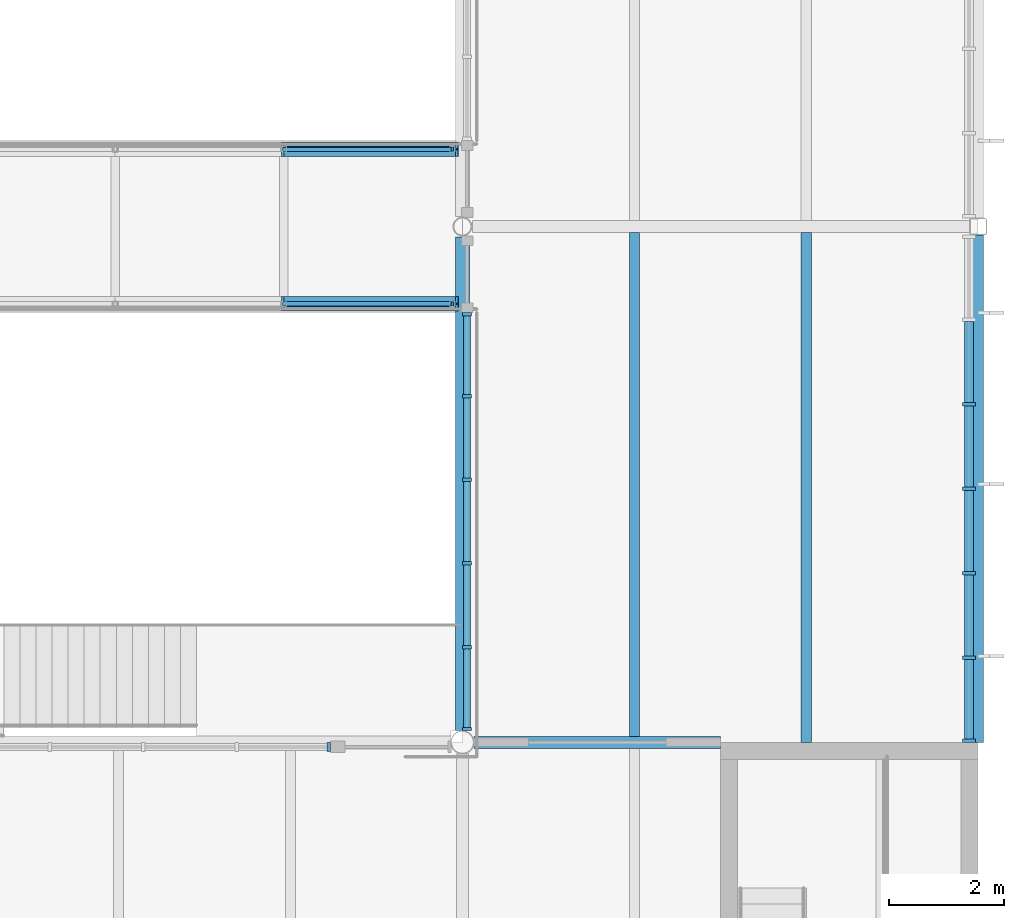
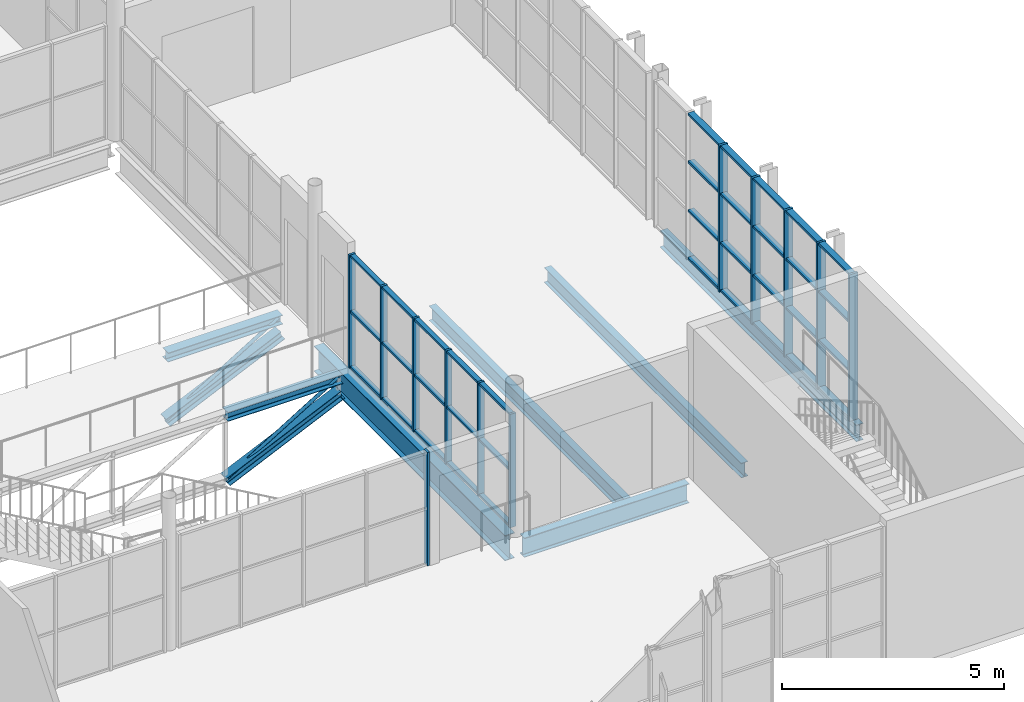
# One storey, part 25 of 61: 53 members, 5 beams, 3 elements without a shape of their own.
"""IFC4 building model written with IfcOpenShell, lengths in metres."""

from ifc_helpers import new_model, si_unit, direction, frame, origin, origin_2d, place, context, subcontext, project, spatial, rectangle, hollow_circle, i_section, extrude, material, layer, layer_set, material_profile, profile_set, type_object, element, aggregate, save


model = new_model("IFC4")

# Units and contexts
model_context = context("Model", 3, precision=1e-05, world=origin(), true_north=direction((0.0, 1.0)))
body_context = subcontext(model_context, "Body", "Model", "MODEL_VIEW")
ifc_project = project(units=[si_unit("LENGTHUNIT", "METRE"), si_unit("AREAUNIT", "SQUARE_METRE"), si_unit("VOLUMEUNIT", "CUBIC_METRE"), si_unit("PLANEANGLEUNIT", "RADIAN"), si_unit("MASSUNIT", "GRAM", prefix="KILO")], contexts=[model_context])

# Site, building, storey
site_placement = place(None, origin())
site = spatial("IfcSite", under=ifc_project, at=site_placement, CompositionType="ELEMENT")
building_placement = place(site_placement, origin())
building = spatial("IfcBuilding", under=site, at=building_placement, Name="Halyard Row Museum", CompositionType="ELEMENT")
storey_placement = place(building_placement, frame((0.0, 0.0, 9.199951171875)))
storey = spatial("IfcBuildingStorey", under=building, at=storey_placement, Name="L02", CompositionType="ELEMENT", Elevation=9.199951171875)

# Beam
ifc_material_1 = material(Name="Steel Grade 300", Category="steel")
ifc_material_profile_1 = material_profile(ifc_material_1, i_section(OverallWidth=0.25, OverallDepth=0.699951171875, WebThickness=0.010009765625, FlangeThickness=0.02001953125, at=origin_2d()), Name="700WB130")
ifc_profile_set_1 = profile_set([ifc_material_profile_1], Name="Steel Grade 300")
beam_type_1 = type_object("IfcBeamType", Name="Bearing beam 700WB130", PredefinedType="BEAM", material=ifc_profile_set_1)
beam_1_placement = place(storey_placement, frame((99.0, 9.203125, -0.514892578125), z_axis=(0.0, 1.0, 0.0), x_axis=(-1.0, 0.0, 0.0)))
element("IfcBeam", 1, at=beam_1_placement, inside=storey, type_object=beam_type_1, Name="Beam L02-078", PredefinedType="BEAM", context=body_context, shape_type="SweptSolid", body=[
    extrude(i_section(OverallWidth=0.25, OverallDepth=0.699951171875, WebThickness=0.010009765625, FlangeThickness=0.02001953125, at=origin_2d()), origin(), (0.0, 0.0, 1.0), 8.619140625),
])

# Curtain wall, members
ifc_material_2 = material(Name="Double glazed unit, low-emissivity", Category="glass")
ifc_layer_1 = layer(ifc_material_2, 0.219970703125)
ifc_layer_set_1 = layer_set([ifc_layer_1], Name="Double glazed unit, low-emissivity")
curtain_wall_type_1 = type_object("IfcCurtainWallType", Name="Curtain wall unitised 220 deep", PredefinedType="NOTDEFINED", material=ifc_layer_set_1)
curtain_wall_1_placement = place(storey_placement, origin())
curtain_wall_1 = element("IfcCurtainWall", 2, at=curtain_wall_1_placement, inside=storey, type_object=curtain_wall_type_1, Name="Curtain wall CW031", PredefinedType="NOTDEFINED")
ifc_material_3 = material(Name="Powder-coated aluminium section", Category="aluminium")
ifc_material_profile_2 = material_profile(ifc_material_3, rectangle(XDim=0.219970703125, YDim=0.06005859375, at=origin_2d()), Name="220x60 mullion")
ifc_profile_set_2 = profile_set([ifc_material_profile_2], Name="Powder-coated aluminium section")
member_type_1 = type_object("IfcMemberType", Name="Curtain wall mullion CM3 60 x 220", PredefinedType="MULLION", material=ifc_profile_set_2)
member_1_placement = place(storey_placement, frame((107.840087890625, 9.030029296875, 0.0), z_axis=(0.0, 0.0, 1.0), x_axis=(-1.0, 0.0, 0.0)))
member_1 = element("IfcMember", 3, at=member_1_placement, type_object=member_type_1, Name="CW031 mullion 1", PredefinedType="MULLION", context=body_context, shape_type="SweptSolid", body=[
    extrude(rectangle(XDim=0.219970703125, YDim=0.06005859375, at=origin_2d()), origin(), (0.0, 0.0, 1.0), 4.03515625),
])
member_2_placement = place(storey_placement, frame((107.840087890625, 10.47509765625, 0.0), z_axis=(0.0, 0.0, 1.0), x_axis=(-1.0, 0.0, 0.0)))
member_2 = element("IfcMember", 4, at=member_2_placement, type_object=member_type_1, Name="CW031 mullion 2", PredefinedType="MULLION", context=body_context, shape_type="SweptSolid", body=[
    extrude(rectangle(XDim=0.219970703125, YDim=0.06005859375, at=origin_2d()), origin(), (0.0, 0.0, 1.0), 4.03515625),
])
member_3_placement = place(storey_placement, frame((107.840087890625, 11.949951171875, 0.0), z_axis=(0.0, 0.0, 1.0), x_axis=(-1.0, 0.0, 0.0)))
member_3 = element("IfcMember", 5, at=member_3_placement, type_object=member_type_1, Name="CW031 mullion 3", PredefinedType="MULLION", context=body_context, shape_type="SweptSolid", body=[
    extrude(rectangle(XDim=0.219970703125, YDim=0.06005859375, at=origin_2d()), origin(), (0.0, 0.0, 1.0), 4.03515625),
])
member_4_placement = place(storey_placement, frame((107.840087890625, 13.425048828125, 0.0), z_axis=(0.0, 0.0, 1.0), x_axis=(-1.0, 0.0, 0.0)))
member_4 = element("IfcMember", 6, at=member_4_placement, type_object=member_type_1, Name="CW031 mullion 4", PredefinedType="MULLION", context=body_context, shape_type="SweptSolid", body=[
    extrude(rectangle(XDim=0.219970703125, YDim=0.06005859375, at=origin_2d()), origin(), (0.0, 0.0, 1.0), 4.03515625),
])
member_5_placement = place(storey_placement, frame((107.840087890625, 14.89990234375, 0.0), z_axis=(0.0, 0.0, 1.0), x_axis=(-1.0, 0.0, 0.0)))
member_5 = element("IfcMember", 7, at=member_5_placement, type_object=member_type_1, Name="CW031 mullion 5", PredefinedType="MULLION", context=body_context, shape_type="SweptSolid", body=[
    extrude(rectangle(XDim=0.219970703125, YDim=0.06005859375, at=origin_2d()), origin(), (0.0, 0.0, 1.0), 4.03515625),
])

# Curtain wall, member
ifc_material_4 = material(Name="Fire-resisting laminated glazing", Category="glass")
ifc_layer_2 = layer(ifc_material_4, 0.159912109375)
ifc_layer_set_2 = layer_set([ifc_layer_2], Name="Fire-resisting laminated glazing")
curtain_wall_type_2 = type_object("IfcCurtainWallType", Name="Curtain wall atrium screen 160 deep", PredefinedType="NOTDEFINED", material=ifc_layer_set_2)
curtain_wall_2_placement = place(storey_placement, origin())
curtain_wall_2 = element("IfcCurtainWall", 8, at=curtain_wall_2_placement, inside=storey, type_object=curtain_wall_type_2, Name="Curtain wall CW086", PredefinedType="NOTDEFINED")
ifc_material_5 = material(Name="Powder-coated aluminium section", Category="aluminium")
ifc_material_profile_3 = material_profile(ifc_material_5, rectangle(XDim=0.159912109375, YDim=0.06005859375, at=origin_2d()), Name="160x60 mullion")
ifc_profile_set_3 = profile_set([ifc_material_profile_3], Name="Powder-coated aluminium section")
member_type_2 = type_object("IfcMemberType", Name="Curtain wall mullion CM5 60 x 160", PredefinedType="MULLION", material=ifc_profile_set_3)
member_6_placement = place(storey_placement, frame((96.669921875, 8.919921875, 0.0), z_axis=(0.0, 0.0, 1.0), x_axis=(0.0, 1.0, 0.0)))
member_6 = element("IfcMember", 9, at=member_6_placement, type_object=member_type_2, Name="CW086 mullion 5", PredefinedType="MULLION", context=body_context, shape_type="SweptSolid", body=[
    extrude(rectangle(XDim=0.159912109375, YDim=0.06005859375, at=origin_2d()), origin(), (0.0, 0.0, 1.0), 3.12451171875),
])
aggregate(curtain_wall_2, [member_6])

# Curtain wall, members
curtain_wall_3_placement = place(storey_placement, origin())
curtain_wall_3 = element("IfcCurtainWall", 10, at=curtain_wall_3_placement, inside=storey, type_object=curtain_wall_type_2, Name="Curtain wall CW087", PredefinedType="NOTDEFINED")
member_7_placement = place(storey_placement, frame((99.080078125, 9.233154296875, 0.0), z_axis=(0.0, 0.0, 1.0), x_axis=(-1.0, 0.0, 0.0)))
member_7 = element("IfcMember", 11, at=member_7_placement, type_object=member_type_2, Name="CW087 mullion 1", PredefinedType="MULLION", context=body_context, shape_type="SweptSolid", body=[
    extrude(rectangle(XDim=0.159912109375, YDim=0.06005859375, at=origin_2d()), origin(), (0.0, 0.0, 1.0), 3.12451171875),
])
member_8_placement = place(storey_placement, frame((99.080078125, 10.66259765625, 0.0), z_axis=(0.0, 0.0, 1.0), x_axis=(-1.0, 0.0, 0.0)))
member_8 = element("IfcMember", 12, at=member_8_placement, type_object=member_type_2, Name="CW087 mullion 2", PredefinedType="MULLION", context=body_context, shape_type="SweptSolid", body=[
    extrude(rectangle(XDim=0.159912109375, YDim=0.06005859375, at=origin_2d()), origin(), (0.0, 0.0, 1.0), 3.12451171875),
])
member_9_placement = place(storey_placement, frame((99.080078125, 12.121826171875, 0.0), z_axis=(0.0, 0.0, 1.0), x_axis=(-1.0, 0.0, 0.0)))
member_9 = element("IfcMember", 13, at=member_9_placement, type_object=member_type_2, Name="CW087 mullion 3", PredefinedType="MULLION", context=body_context, shape_type="SweptSolid", body=[
    extrude(rectangle(XDim=0.159912109375, YDim=0.06005859375, at=origin_2d()), origin(), (0.0, 0.0, 1.0), 3.12451171875),
])
member_10_placement = place(storey_placement, frame((99.080078125, 13.581298828125, 0.0), z_axis=(0.0, 0.0, 1.0), x_axis=(-1.0, 0.0, 0.0)))
member_10 = element("IfcMember", 14, at=member_10_placement, type_object=member_type_2, Name="CW087 mullion 4", PredefinedType="MULLION", context=body_context, shape_type="SweptSolid", body=[
    extrude(rectangle(XDim=0.159912109375, YDim=0.06005859375, at=origin_2d()), origin(), (0.0, 0.0, 1.0), 3.12451171875),
])
member_11_placement = place(storey_placement, frame((99.080078125, 15.04052734375, 0.0), z_axis=(0.0, 0.0, 1.0), x_axis=(-1.0, 0.0, 0.0)))
member_11 = element("IfcMember", 15, at=member_11_placement, type_object=member_type_2, Name="CW087 mullion 5", PredefinedType="MULLION", context=body_context, shape_type="SweptSolid", body=[
    extrude(rectangle(XDim=0.159912109375, YDim=0.06005859375, at=origin_2d()), origin(), (0.0, 0.0, 1.0), 3.12451171875),
])
member_12_placement = place(storey_placement, frame((99.080078125, 16.469970703125, 0.0), z_axis=(0.0, 0.0, 1.0), x_axis=(-1.0, 0.0, 0.0)))
member_12 = element("IfcMember", 16, at=member_12_placement, type_object=member_type_2, Name="CW087 mullion 6", PredefinedType="MULLION", context=body_context, shape_type="SweptSolid", body=[
    extrude(rectangle(XDim=0.159912109375, YDim=0.06005859375, at=origin_2d()), origin(), (0.0, 0.0, 1.0), 3.12451171875),
])

# Member
ifc_material_6 = material(Name="Powder-coated aluminium section", Category="aluminium")
ifc_material_profile_4 = material_profile(ifc_material_6, rectangle(XDim=0.159912109375, YDim=0.06005859375, at=origin_2d()), Name="160x60 transom")
ifc_profile_set_4 = profile_set([ifc_material_profile_4], Name="Powder-coated aluminium section")
member_type_3 = type_object("IfcMemberType", Name="Curtain wall transom CT3 60 x 160", PredefinedType="USERDEFINED", material=ifc_profile_set_4)
member_13_placement = place(storey_placement, frame((107.840087890625, 9.06005859375, 0.030029296875), z_axis=(0.0, 1.0, 0.0), x_axis=(-1.0, 0.0, 0.0)))
member_13 = element("IfcMember", 17, at=member_13_placement, type_object=member_type_3, Name="CW031 transom 1.1", ObjectType="TRANSOM", PredefinedType="USERDEFINED", context=body_context, shape_type="SweptSolid", body=[
    extrude(rectangle(XDim=0.159912109375, YDim=0.06005859375, at=origin_2d()), origin(), (0.0, 0.0, 1.0), 1.385009765625),
])

member_14_placement = place(storey_placement, frame((107.840087890625, 9.06005859375, 1.344970703125), z_axis=(0.0, 1.0, 0.0), x_axis=(-1.0, 0.0, 0.0)))
member_14 = element("IfcMember", 18, at=member_14_placement, type_object=member_type_3, Name="CW031 transom 1.2", ObjectType="TRANSOM", PredefinedType="USERDEFINED", context=body_context, shape_type="SweptSolid", body=[
    extrude(rectangle(XDim=0.159912109375, YDim=0.06005859375, at=origin_2d()), origin(), (0.0, 0.0, 1.0), 1.385009765625),
])

member_15_placement = place(storey_placement, frame((107.840087890625, 9.06005859375, 2.68994140625), z_axis=(0.0, 1.0, 0.0), x_axis=(-1.0, 0.0, 0.0)))
member_15 = element("IfcMember", 19, at=member_15_placement, type_object=member_type_3, Name="CW031 transom 1.3", ObjectType="TRANSOM", PredefinedType="USERDEFINED", context=body_context, shape_type="SweptSolid", body=[
    extrude(rectangle(XDim=0.159912109375, YDim=0.06005859375, at=origin_2d()), origin(), (0.0, 0.0, 1.0), 1.385009765625),
])

member_16_placement = place(storey_placement, frame((107.840087890625, 9.06005859375, 4.005126953125), z_axis=(0.0, 1.0, 0.0), x_axis=(-1.0, 0.0, 0.0)))
member_16 = element("IfcMember", 20, at=member_16_placement, type_object=member_type_3, Name="CW031 transom 1.4", ObjectType="TRANSOM", PredefinedType="USERDEFINED", context=body_context, shape_type="SweptSolid", body=[
    extrude(rectangle(XDim=0.159912109375, YDim=0.06005859375, at=origin_2d()), origin(), (0.0, 0.0, 1.0), 1.385009765625),
])

member_17_placement = place(storey_placement, frame((107.840087890625, 10.5048828125, 0.030029296875), z_axis=(0.0, 1.0, 0.0), x_axis=(-1.0, 0.0, 0.0)))
member_17 = element("IfcMember", 21, at=member_17_placement, type_object=member_type_3, Name="CW031 transom 2.1", ObjectType="TRANSOM", PredefinedType="USERDEFINED", context=body_context, shape_type="SweptSolid", body=[
    extrude(rectangle(XDim=0.159912109375, YDim=0.06005859375, at=origin_2d()), origin(), (0.0, 0.0, 1.0), 1.4150390625),
])

member_18_placement = place(storey_placement, frame((107.840087890625, 10.5048828125, 1.344970703125), z_axis=(0.0, 1.0, 0.0), x_axis=(-1.0, 0.0, 0.0)))
member_18 = element("IfcMember", 22, at=member_18_placement, type_object=member_type_3, Name="CW031 transom 2.2", ObjectType="TRANSOM", PredefinedType="USERDEFINED", context=body_context, shape_type="SweptSolid", body=[
    extrude(rectangle(XDim=0.159912109375, YDim=0.06005859375, at=origin_2d()), origin(), (0.0, 0.0, 1.0), 1.4150390625),
])

member_19_placement = place(storey_placement, frame((107.840087890625, 10.5048828125, 2.68994140625), z_axis=(0.0, 1.0, 0.0), x_axis=(-1.0, 0.0, 0.0)))
member_19 = element("IfcMember", 23, at=member_19_placement, type_object=member_type_3, Name="CW031 transom 2.3", ObjectType="TRANSOM", PredefinedType="USERDEFINED", context=body_context, shape_type="SweptSolid", body=[
    extrude(rectangle(XDim=0.159912109375, YDim=0.06005859375, at=origin_2d()), origin(), (0.0, 0.0, 1.0), 1.4150390625),
])

member_20_placement = place(storey_placement, frame((107.840087890625, 10.5048828125, 4.005126953125), z_axis=(0.0, 1.0, 0.0), x_axis=(-1.0, 0.0, 0.0)))
member_20 = element("IfcMember", 24, at=member_20_placement, type_object=member_type_3, Name="CW031 transom 2.4", ObjectType="TRANSOM", PredefinedType="USERDEFINED", context=body_context, shape_type="SweptSolid", body=[
    extrude(rectangle(XDim=0.159912109375, YDim=0.06005859375, at=origin_2d()), origin(), (0.0, 0.0, 1.0), 1.4150390625),
])

member_21_placement = place(storey_placement, frame((107.840087890625, 11.97998046875, 0.030029296875), z_axis=(0.0, 1.0, 0.0), x_axis=(-1.0, 0.0, 0.0)))
member_21 = element("IfcMember", 25, at=member_21_placement, type_object=member_type_3, Name="CW031 transom 3.1", ObjectType="TRANSOM", PredefinedType="USERDEFINED", context=body_context, shape_type="SweptSolid", body=[
    extrude(rectangle(XDim=0.159912109375, YDim=0.06005859375, at=origin_2d()), origin(), (0.0, 0.0, 1.0), 1.4150390625),
])

member_22_placement = place(storey_placement, frame((107.840087890625, 11.97998046875, 1.344970703125), z_axis=(0.0, 1.0, 0.0), x_axis=(-1.0, 0.0, 0.0)))
member_22 = element("IfcMember", 26, at=member_22_placement, type_object=member_type_3, Name="CW031 transom 3.2", ObjectType="TRANSOM", PredefinedType="USERDEFINED", context=body_context, shape_type="SweptSolid", body=[
    extrude(rectangle(XDim=0.159912109375, YDim=0.06005859375, at=origin_2d()), origin(), (0.0, 0.0, 1.0), 1.4150390625),
])

member_23_placement = place(storey_placement, frame((107.840087890625, 11.97998046875, 2.68994140625), z_axis=(0.0, 1.0, 0.0), x_axis=(-1.0, 0.0, 0.0)))
member_23 = element("IfcMember", 27, at=member_23_placement, type_object=member_type_3, Name="CW031 transom 3.3", ObjectType="TRANSOM", PredefinedType="USERDEFINED", context=body_context, shape_type="SweptSolid", body=[
    extrude(rectangle(XDim=0.159912109375, YDim=0.06005859375, at=origin_2d()), origin(), (0.0, 0.0, 1.0), 1.4150390625),
])

member_24_placement = place(storey_placement, frame((107.840087890625, 11.97998046875, 4.005126953125), z_axis=(0.0, 1.0, 0.0), x_axis=(-1.0, 0.0, 0.0)))
member_24 = element("IfcMember", 28, at=member_24_placement, type_object=member_type_3, Name="CW031 transom 3.4", ObjectType="TRANSOM", PredefinedType="USERDEFINED", context=body_context, shape_type="SweptSolid", body=[
    extrude(rectangle(XDim=0.159912109375, YDim=0.06005859375, at=origin_2d()), origin(), (0.0, 0.0, 1.0), 1.4150390625),
])

member_25_placement = place(storey_placement, frame((107.840087890625, 13.455078125, 0.030029296875), z_axis=(0.0, 1.0, 0.0), x_axis=(-1.0, 0.0, 0.0)))
member_25 = element("IfcMember", 29, at=member_25_placement, type_object=member_type_3, Name="CW031 transom 4.1", ObjectType="TRANSOM", PredefinedType="USERDEFINED", context=body_context, shape_type="SweptSolid", body=[
    extrude(rectangle(XDim=0.159912109375, YDim=0.06005859375, at=origin_2d()), origin(), (0.0, 0.0, 1.0), 1.4150390625),
])

member_26_placement = place(storey_placement, frame((107.840087890625, 13.455078125, 1.344970703125), z_axis=(0.0, 1.0, 0.0), x_axis=(-1.0, 0.0, 0.0)))
member_26 = element("IfcMember", 30, at=member_26_placement, type_object=member_type_3, Name="CW031 transom 4.2", ObjectType="TRANSOM", PredefinedType="USERDEFINED", context=body_context, shape_type="SweptSolid", body=[
    extrude(rectangle(XDim=0.159912109375, YDim=0.06005859375, at=origin_2d()), origin(), (0.0, 0.0, 1.0), 1.4150390625),
])

member_27_placement = place(storey_placement, frame((107.840087890625, 13.455078125, 2.68994140625), z_axis=(0.0, 1.0, 0.0), x_axis=(-1.0, 0.0, 0.0)))
member_27 = element("IfcMember", 31, at=member_27_placement, type_object=member_type_3, Name="CW031 transom 4.3", ObjectType="TRANSOM", PredefinedType="USERDEFINED", context=body_context, shape_type="SweptSolid", body=[
    extrude(rectangle(XDim=0.159912109375, YDim=0.06005859375, at=origin_2d()), origin(), (0.0, 0.0, 1.0), 1.4150390625),
])

member_28_placement = place(storey_placement, frame((107.840087890625, 13.455078125, 4.005126953125), z_axis=(0.0, 1.0, 0.0), x_axis=(-1.0, 0.0, 0.0)))
member_28 = element("IfcMember", 32, at=member_28_placement, type_object=member_type_3, Name="CW031 transom 4.4", ObjectType="TRANSOM", PredefinedType="USERDEFINED", context=body_context, shape_type="SweptSolid", body=[
    extrude(rectangle(XDim=0.159912109375, YDim=0.06005859375, at=origin_2d()), origin(), (0.0, 0.0, 1.0), 1.4150390625),
])

member_29_placement = place(storey_placement, frame((107.840087890625, 14.929931640625, 0.030029296875), z_axis=(0.0, 1.0, 0.0), x_axis=(-1.0, 0.0, 0.0)))
member_29 = element("IfcMember", 33, at=member_29_placement, type_object=member_type_3, Name="CW031 transom 5.1", ObjectType="TRANSOM", PredefinedType="USERDEFINED", context=body_context, shape_type="SweptSolid", body=[
    extrude(rectangle(XDim=0.159912109375, YDim=0.06005859375, at=origin_2d()), origin(), (0.0, 0.0, 1.0), 1.4150390625),
])

member_30_placement = place(storey_placement, frame((107.840087890625, 14.929931640625, 1.344970703125), z_axis=(0.0, 1.0, 0.0), x_axis=(-1.0, 0.0, 0.0)))
member_30 = element("IfcMember", 34, at=member_30_placement, type_object=member_type_3, Name="CW031 transom 5.2", ObjectType="TRANSOM", PredefinedType="USERDEFINED", context=body_context, shape_type="SweptSolid", body=[
    extrude(rectangle(XDim=0.159912109375, YDim=0.06005859375, at=origin_2d()), origin(), (0.0, 0.0, 1.0), 1.4150390625),
])

member_31_placement = place(storey_placement, frame((107.840087890625, 14.929931640625, 2.68994140625), z_axis=(0.0, 1.0, 0.0), x_axis=(-1.0, 0.0, 0.0)))
member_31 = element("IfcMember", 35, at=member_31_placement, type_object=member_type_3, Name="CW031 transom 5.3", ObjectType="TRANSOM", PredefinedType="USERDEFINED", context=body_context, shape_type="SweptSolid", body=[
    extrude(rectangle(XDim=0.159912109375, YDim=0.06005859375, at=origin_2d()), origin(), (0.0, 0.0, 1.0), 1.4150390625),
])

member_32_placement = place(storey_placement, frame((107.840087890625, 14.929931640625, 4.005126953125), z_axis=(0.0, 1.0, 0.0), x_axis=(-1.0, 0.0, 0.0)))
member_32 = element("IfcMember", 36, at=member_32_placement, type_object=member_type_3, Name="CW031 transom 5.4", ObjectType="TRANSOM", PredefinedType="USERDEFINED", context=body_context, shape_type="SweptSolid", body=[
    extrude(rectangle(XDim=0.159912109375, YDim=0.06005859375, at=origin_2d()), origin(), (0.0, 0.0, 1.0), 1.4150390625),
])

aggregate(curtain_wall_1, [member_1, member_2, member_3, member_4, member_5, member_13, member_14, member_15, member_16, member_17, member_18, member_19, member_20, member_21, member_22, member_23, member_24, member_25, member_26, member_27, member_28, member_29, member_30, member_31, member_32])

ifc_material_7 = material(Name="Powder-coated aluminium section", Category="aluminium")
ifc_material_profile_5 = material_profile(ifc_material_7, rectangle(XDim=0.1201171875, YDim=0.06005859375, at=origin_2d()), Name="120x60 transom")
ifc_profile_set_5 = profile_set([ifc_material_profile_5], Name="Powder-coated aluminium section")
member_type_4 = type_object("IfcMemberType", Name="Curtain wall transom CT5 60 x 120", PredefinedType="USERDEFINED", material=ifc_profile_set_5)
member_33_placement = place(storey_placement, frame((99.080078125, 9.26318359375, 0.030029296875), z_axis=(0.0, 1.0, 0.0), x_axis=(-1.0, 0.0, 0.0)))
member_33 = element("IfcMember", 37, at=member_33_placement, type_object=member_type_4, Name="CW087 transom 1.1", ObjectType="TRANSOM", PredefinedType="USERDEFINED", context=body_context, shape_type="SweptSolid", body=[
    extrude(rectangle(XDim=0.1201171875, YDim=0.06005859375, at=origin_2d()), origin(), (0.0, 0.0, 1.0), 1.369384765625),
])

member_34_placement = place(storey_placement, frame((99.080078125, 9.26318359375, 1.562255859375), z_axis=(0.0, 1.0, 0.0), x_axis=(-1.0, 0.0, 0.0)))
member_34 = element("IfcMember", 38, at=member_34_placement, type_object=member_type_4, Name="CW087 transom 1.2", ObjectType="TRANSOM", PredefinedType="USERDEFINED", context=body_context, shape_type="SweptSolid", body=[
    extrude(rectangle(XDim=0.1201171875, YDim=0.06005859375, at=origin_2d()), origin(), (0.0, 0.0, 1.0), 1.369384765625),
])

member_35_placement = place(storey_placement, frame((99.080078125, 9.26318359375, 3.094482421875), z_axis=(0.0, 1.0, 0.0), x_axis=(-1.0, 0.0, 0.0)))
member_35 = element("IfcMember", 39, at=member_35_placement, type_object=member_type_4, Name="CW087 transom 1.3", ObjectType="TRANSOM", PredefinedType="USERDEFINED", context=body_context, shape_type="SweptSolid", body=[
    extrude(rectangle(XDim=0.1201171875, YDim=0.06005859375, at=origin_2d()), origin(), (0.0, 0.0, 1.0), 1.369384765625),
])

member_36_placement = place(storey_placement, frame((99.080078125, 10.692626953125, 0.030029296875), z_axis=(0.0, 1.0, 0.0), x_axis=(-1.0, 0.0, 0.0)))
member_36 = element("IfcMember", 40, at=member_36_placement, type_object=member_type_4, Name="CW087 transom 2.1", ObjectType="TRANSOM", PredefinedType="USERDEFINED", context=body_context, shape_type="SweptSolid", body=[
    extrude(rectangle(XDim=0.1201171875, YDim=0.06005859375, at=origin_2d()), origin(), (0.0, 0.0, 1.0), 1.3994140625),
])

member_37_placement = place(storey_placement, frame((99.080078125, 10.692626953125, 1.562255859375), z_axis=(0.0, 1.0, 0.0), x_axis=(-1.0, 0.0, 0.0)))
member_37 = element("IfcMember", 41, at=member_37_placement, type_object=member_type_4, Name="CW087 transom 2.2", ObjectType="TRANSOM", PredefinedType="USERDEFINED", context=body_context, shape_type="SweptSolid", body=[
    extrude(rectangle(XDim=0.1201171875, YDim=0.06005859375, at=origin_2d()), origin(), (0.0, 0.0, 1.0), 1.3994140625),
])

member_38_placement = place(storey_placement, frame((99.080078125, 10.692626953125, 3.094482421875), z_axis=(0.0, 1.0, 0.0), x_axis=(-1.0, 0.0, 0.0)))
member_38 = element("IfcMember", 42, at=member_38_placement, type_object=member_type_4, Name="CW087 transom 2.3", ObjectType="TRANSOM", PredefinedType="USERDEFINED", context=body_context, shape_type="SweptSolid", body=[
    extrude(rectangle(XDim=0.1201171875, YDim=0.06005859375, at=origin_2d()), origin(), (0.0, 0.0, 1.0), 1.3994140625),
])

member_39_placement = place(storey_placement, frame((99.080078125, 12.15185546875, 0.030029296875), z_axis=(0.0, 1.0, 0.0), x_axis=(-1.0, 0.0, 0.0)))
member_39 = element("IfcMember", 43, at=member_39_placement, type_object=member_type_4, Name="CW087 transom 3.1", ObjectType="TRANSOM", PredefinedType="USERDEFINED", context=body_context, shape_type="SweptSolid", body=[
    extrude(rectangle(XDim=0.1201171875, YDim=0.06005859375, at=origin_2d()), origin(), (0.0, 0.0, 1.0), 1.3994140625),
])

member_40_placement = place(storey_placement, frame((99.080078125, 12.15185546875, 1.562255859375), z_axis=(0.0, 1.0, 0.0), x_axis=(-1.0, 0.0, 0.0)))
member_40 = element("IfcMember", 44, at=member_40_placement, type_object=member_type_4, Name="CW087 transom 3.2", ObjectType="TRANSOM", PredefinedType="USERDEFINED", context=body_context, shape_type="SweptSolid", body=[
    extrude(rectangle(XDim=0.1201171875, YDim=0.06005859375, at=origin_2d()), origin(), (0.0, 0.0, 1.0), 1.3994140625),
])

member_41_placement = place(storey_placement, frame((99.080078125, 12.15185546875, 3.094482421875), z_axis=(0.0, 1.0, 0.0), x_axis=(-1.0, 0.0, 0.0)))
member_41 = element("IfcMember", 45, at=member_41_placement, type_object=member_type_4, Name="CW087 transom 3.3", ObjectType="TRANSOM", PredefinedType="USERDEFINED", context=body_context, shape_type="SweptSolid", body=[
    extrude(rectangle(XDim=0.1201171875, YDim=0.06005859375, at=origin_2d()), origin(), (0.0, 0.0, 1.0), 1.3994140625),
])

member_42_placement = place(storey_placement, frame((99.080078125, 13.611328125, 0.030029296875), z_axis=(0.0, 1.0, 0.0), x_axis=(-1.0, 0.0, 0.0)))
member_42 = element("IfcMember", 46, at=member_42_placement, type_object=member_type_4, Name="CW087 transom 4.1", ObjectType="TRANSOM", PredefinedType="USERDEFINED", context=body_context, shape_type="SweptSolid", body=[
    extrude(rectangle(XDim=0.1201171875, YDim=0.06005859375, at=origin_2d()), origin(), (0.0, 0.0, 1.0), 1.3994140625),
])

member_43_placement = place(storey_placement, frame((99.080078125, 13.611328125, 1.562255859375), z_axis=(0.0, 1.0, 0.0), x_axis=(-1.0, 0.0, 0.0)))
member_43 = element("IfcMember", 47, at=member_43_placement, type_object=member_type_4, Name="CW087 transom 4.2", ObjectType="TRANSOM", PredefinedType="USERDEFINED", context=body_context, shape_type="SweptSolid", body=[
    extrude(rectangle(XDim=0.1201171875, YDim=0.06005859375, at=origin_2d()), origin(), (0.0, 0.0, 1.0), 1.3994140625),
])

member_44_placement = place(storey_placement, frame((99.080078125, 13.611328125, 3.094482421875), z_axis=(0.0, 1.0, 0.0), x_axis=(-1.0, 0.0, 0.0)))
member_44 = element("IfcMember", 48, at=member_44_placement, type_object=member_type_4, Name="CW087 transom 4.3", ObjectType="TRANSOM", PredefinedType="USERDEFINED", context=body_context, shape_type="SweptSolid", body=[
    extrude(rectangle(XDim=0.1201171875, YDim=0.06005859375, at=origin_2d()), origin(), (0.0, 0.0, 1.0), 1.3994140625),
])

member_45_placement = place(storey_placement, frame((99.080078125, 15.070556640625, 0.030029296875), z_axis=(0.0, 1.0, 0.0), x_axis=(-1.0, 0.0, 0.0)))
member_45 = element("IfcMember", 49, at=member_45_placement, type_object=member_type_4, Name="CW087 transom 5.1", ObjectType="TRANSOM", PredefinedType="USERDEFINED", context=body_context, shape_type="SweptSolid", body=[
    extrude(rectangle(XDim=0.1201171875, YDim=0.06005859375, at=origin_2d()), origin(), (0.0, 0.0, 1.0), 1.369384765625),
])

member_46_placement = place(storey_placement, frame((99.080078125, 15.070556640625, 1.562255859375), z_axis=(0.0, 1.0, 0.0), x_axis=(-1.0, 0.0, 0.0)))
member_46 = element("IfcMember", 50, at=member_46_placement, type_object=member_type_4, Name="CW087 transom 5.2", ObjectType="TRANSOM", PredefinedType="USERDEFINED", context=body_context, shape_type="SweptSolid", body=[
    extrude(rectangle(XDim=0.1201171875, YDim=0.06005859375, at=origin_2d()), origin(), (0.0, 0.0, 1.0), 1.369384765625),
])

member_47_placement = place(storey_placement, frame((99.080078125, 15.070556640625, 3.094482421875), z_axis=(0.0, 1.0, 0.0), x_axis=(-1.0, 0.0, 0.0)))
member_47 = element("IfcMember", 51, at=member_47_placement, type_object=member_type_4, Name="CW087 transom 5.3", ObjectType="TRANSOM", PredefinedType="USERDEFINED", context=body_context, shape_type="SweptSolid", body=[
    extrude(rectangle(XDim=0.1201171875, YDim=0.06005859375, at=origin_2d()), origin(), (0.0, 0.0, 1.0), 1.369384765625),
])

aggregate(curtain_wall_3, [member_7, member_8, member_9, member_10, member_11, member_12, member_33, member_34, member_35, member_36, member_37, member_38, member_39, member_40, member_41, member_42, member_43, member_44, member_45, member_46, member_47])

# Beams
ifc_material_8 = material(Name="Steel Grade 300", Category="steel")
ifc_material_profile_6 = material_profile(ifc_material_8, i_section(OverallWidth=0.18994140625, OverallDepth=0.45751953125, WebThickness=0.009033203125, FlangeThickness=0.014404296875, FilletRadius=0.011474609375, at=origin_2d()), Name="460UB74.6")
ifc_profile_set_6 = profile_set([ifc_material_profile_6], Name="Steel Grade 300")
beam_type_2 = type_object("IfcBeamType", Name="Edge beam 460UB74.6", PredefinedType="BEAM", material=ifc_profile_set_6)
beam_2_placement = place(storey_placement, frame((108.0, 9.0, -0.3935546875), z_axis=(0.0, 1.0, 0.0), x_axis=(-1.0, 0.0, 0.0)))
element("IfcBeam", 52, at=beam_2_placement, inside=storey, type_object=beam_type_2, Name="Beam L02-083", PredefinedType="BEAM", context=body_context, shape_type="SweptSolid", body=[
    extrude(i_section(OverallWidth=0.18994140625, OverallDepth=0.45751953125, WebThickness=0.009033203125, FlangeThickness=0.014404296875, FilletRadius=0.011474609375, at=origin_2d()), origin(), (0.0, 0.0, 1.0), 8.85009765625),
])
ifc_material_9 = material(Name="Steel Grade 300", Category="steel")
ifc_material_profile_7 = material_profile(ifc_material_9, i_section(OverallWidth=0.208984375, OverallDepth=0.532958984375, WebThickness=0.01025390625, FlangeThickness=0.015625, FilletRadius=0.013916015625, at=origin_2d()), Name="530UB92.4")
ifc_profile_set_7 = profile_set([ifc_material_profile_7], Name="Steel Grade 300")
beam_type_3 = type_object("IfcBeamType", Name="Girder beam 530UB92.4", PredefinedType="BEAM", material=ifc_profile_set_7)
beam_3_placement = place(storey_placement, frame((99.203125, 9.0, -0.431396484375), z_axis=(1.0, 0.0, 0.0), x_axis=(0.0, 1.0, 0.0)))
element("IfcBeam", 53, at=beam_3_placement, inside=storey, type_object=beam_type_3, Name="Beam L02-010", PredefinedType="BEAM", context=body_context, shape_type="SweptSolid", body=[
    extrude(i_section(OverallWidth=0.208984375, OverallDepth=0.532958984375, WebThickness=0.01025390625, FlangeThickness=0.015625, FilletRadius=0.013916015625, at=origin_2d()), origin(), (0.0, 0.0, 1.0), 4.296875),
])
ifc_material_10 = material(Name="Steel Grade 300", Category="steel")
ifc_material_profile_8 = material_profile(ifc_material_10, i_section(OverallWidth=0.177978515625, OverallDepth=0.406494140625, WebThickness=0.0078125, FlangeThickness=0.0126953125, FilletRadius=0.011474609375, at=origin_2d()), Name="410UB59.7")
ifc_profile_set_8 = profile_set([ifc_material_profile_8], Name="Steel Grade 300")
beam_type_4 = type_object("IfcBeamType", Name="Secondary beam 410UB59.7", PredefinedType="BEAM", material=ifc_profile_set_8)
beam_4_placement = place(storey_placement, frame((105.0, 9.0, -0.3681640625), z_axis=(0.0, 1.0, 0.0), x_axis=(-1.0, 0.0, 0.0)))
element("IfcBeam", 54, at=beam_4_placement, inside=storey, type_object=beam_type_4, Name="Beam L02-097", PredefinedType="BEAM", context=body_context, shape_type="SweptSolid", body=[
    extrude(i_section(OverallWidth=0.177978515625, OverallDepth=0.406494140625, WebThickness=0.0078125, FlangeThickness=0.0126953125, FilletRadius=0.011474609375, at=origin_2d()), origin(), (0.0, 0.0, 1.0), 8.8955078125),
])
beam_5_placement = place(storey_placement, frame((102.0, 9.1044921875, -0.3681640625), z_axis=(0.0, 1.0, 0.0), x_axis=(-1.0, 0.0, 0.0)))
element("IfcBeam", 55, at=beam_5_placement, inside=storey, type_object=beam_type_4, Name="Beam L02-099", PredefinedType="BEAM", context=body_context, shape_type="SweptSolid", body=[
    extrude(i_section(OverallWidth=0.177978515625, OverallDepth=0.406494140625, WebThickness=0.0078125, FlangeThickness=0.0126953125, FilletRadius=0.011474609375, at=origin_2d()), origin(), (0.0, 0.0, 1.0), 8.791015625),
])

# Members
ifc_material_11 = material(Name="Steel Grade 300", Category="steel")
ifc_material_profile_9 = material_profile(ifc_material_11, i_section(OverallWidth=0.25390625, OverallDepth=0.25390625, WebThickness=0.008544921875, FlangeThickness=0.01416015625, FilletRadius=0.013916015625, at=origin_2d()), Name="250UC72.9")
ifc_profile_set_9 = profile_set([ifc_material_profile_9], Name="Steel Grade 300")
member_type_5 = type_object("IfcMemberType", Name="Truss chord 250UC72.9 bottom", PredefinedType="CHORD", material=ifc_profile_set_9)
for number, where, z_axis, x_axis, name in (
    (56, (95.88330078125, 16.64990234375, -2.091796875), (0.909918381768, 0.0, 0.414787341322), (0.0, 1.0, 0.0), "BT1S bottom chord 6"),
    (57, (95.88330078125, 19.35009765625, -2.091796875), (0.909918381768, 0.0, 0.414787341322), (0.0, 1.0, 0.0), "BT1N bottom chord 6"),
):
    element("IfcMember", number, at=place(storey_placement, frame(where, z_axis=z_axis, x_axis=x_axis)), inside=storey, type_object=member_type_5, Name=name, PredefinedType="CHORD", context=body_context, shape_type="SweptSolid", body=[
        extrude(i_section(OverallWidth=0.25390625, OverallDepth=0.25390625, WebThickness=0.008544921875, FlangeThickness=0.01416015625, FilletRadius=0.013916015625, at=origin_2d()), origin(), (0.0, 0.0, 1.0), 3.287841796875),
    ])
ifc_material_12 = material(Name="Steel Grade 300", Category="steel")
ifc_material_profile_10 = material_profile(ifc_material_12, i_section(OverallWidth=0.25390625, OverallDepth=0.25390625, WebThickness=0.008544921875, FlangeThickness=0.01416015625, FilletRadius=0.013916015625, at=origin_2d()), Name="250UC72.9")
ifc_profile_set_10 = profile_set([ifc_material_profile_10], Name="Steel Grade 300")
member_type_6 = type_object("IfcMemberType", Name="Truss chord 250UC72.9 top", PredefinedType="CHORD", material=ifc_profile_set_10)
for number, where, z_axis, x_axis, name in (
    (58, (95.88330078125, 16.64990234375, -0.291748046875), (1.0, 0.0, 0.0), (0.0, 1.0, 0.0), "BT1S top chord 6"),
    (59, (95.88330078125, 19.35009765625, -0.291748046875), (1.0, 0.0, 0.0), (0.0, 1.0, 0.0), "BT1N top chord 6"),
):
    element("IfcMember", number, at=place(storey_placement, frame(where, z_axis=z_axis, x_axis=x_axis)), inside=storey, type_object=member_type_6, Name=name, PredefinedType="CHORD", context=body_context, shape_type="SweptSolid", body=[
        extrude(i_section(OverallWidth=0.25390625, OverallDepth=0.25390625, WebThickness=0.008544921875, FlangeThickness=0.01416015625, FilletRadius=0.013916015625, at=origin_2d()), origin(), (0.0, 0.0, 1.0), 2.99169921875),
    ])
ifc_material_13 = material(Name="Steel Grade C250L0", Category="steel")
ifc_material_profile_11 = material_profile(ifc_material_13, hollow_circle(Radius=0.04443359375, WallThickness=0.0048828125, at=origin_2d()), Name="88.9x5.0CHS")
ifc_profile_set_11 = profile_set([ifc_material_profile_11], Name="Steel Grade C250L0")
member_type_7 = type_object("IfcMemberType", Name="Truss diagonal 88.9x5.0CHS", PredefinedType="BRACE", material=ifc_profile_set_11)
for number, where, z_axis, x_axis, name in (
    (60, (95.88330078125, 16.64990234375, -2.091796875), (0.852975450501, 0.0, 0.521951032994), (0.0, 1.0, 0.0), "BT1S diagonal 6"),
    (61, (95.88330078125, 19.35009765625, -2.091796875), (0.852975450501, 0.0, 0.521951032994), (0.0, 1.0, 0.0), "BT1N diagonal 6"),
):
    element("IfcMember", number, at=place(storey_placement, frame(where, z_axis=z_axis, x_axis=x_axis)), inside=storey, type_object=member_type_7, Name=name, PredefinedType="BRACE", context=body_context, shape_type="SweptSolid", body=[
        extrude(hollow_circle(Radius=0.04443359375, WallThickness=0.0048828125, at=origin_2d()), origin(), (0.0, 0.0, 1.0), 3.44873046875),
    ])

save(model, "model.ifc")
